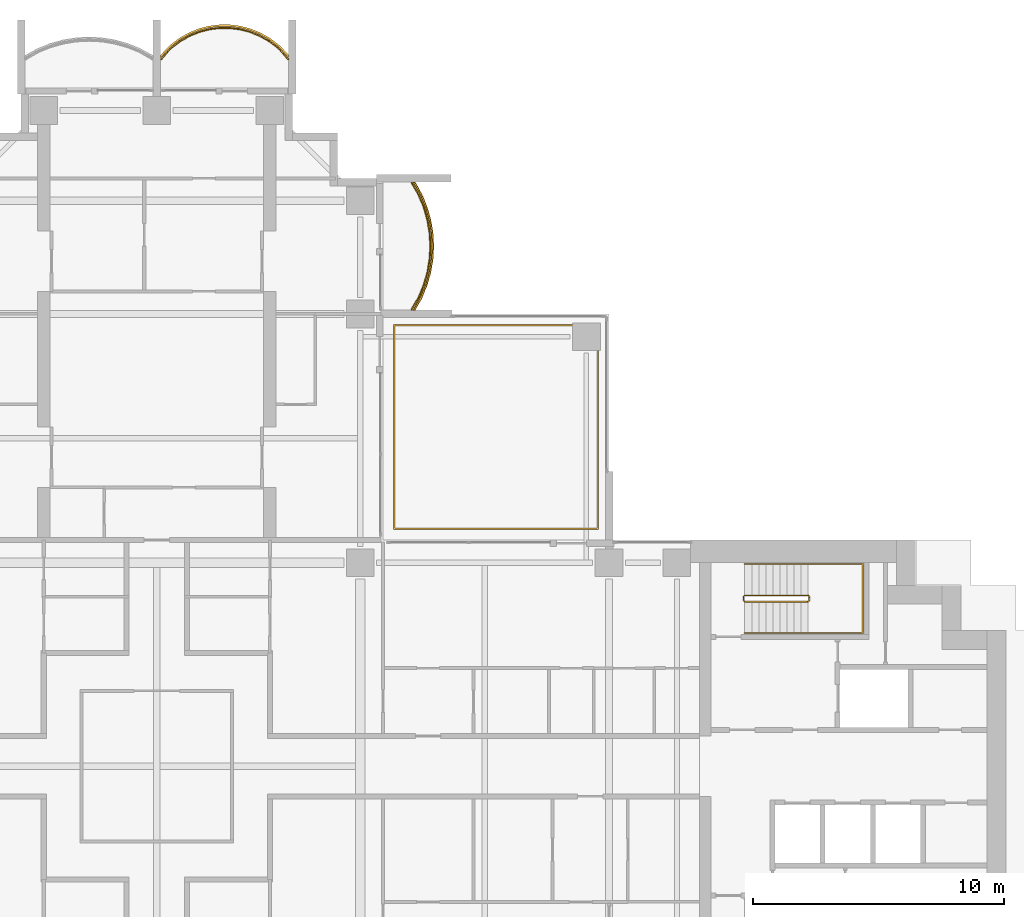
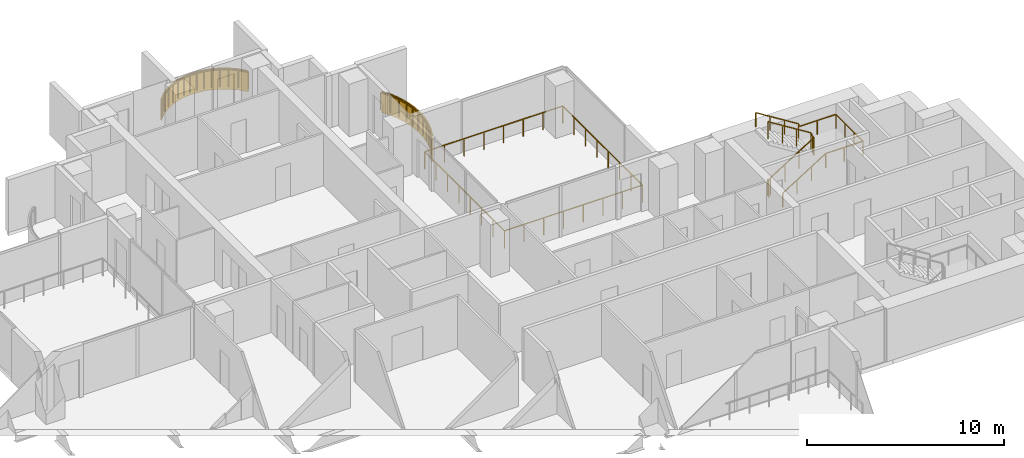
# One storey, part 20 of 20: 5 railings, 2 coverings.
"""IFC4 building model written with IfcOpenShell, lengths in metres."""

from ifc_helpers import new_model, si_unit, direction, frame, origin, origin_2d, place, context, subcontext, project, spatial, polyline, rectangle, outline, extrude, material, layer, layer_set, type_object, element, save


model = new_model("IFC4")

# Units and contexts
model_context = context("Model", 3, precision=1e-05, world=origin(), true_north=direction((0.0, 1.0)))
body_context = subcontext(model_context, "Body", "Model", "MODEL_VIEW")
ifc_project = project(units=[si_unit("LENGTHUNIT", "METRE"), si_unit("AREAUNIT", "SQUARE_METRE"), si_unit("VOLUMEUNIT", "CUBIC_METRE"), si_unit("PLANEANGLEUNIT", "RADIAN"), si_unit("MASSUNIT", "GRAM", prefix="KILO")], contexts=[model_context])

# Site, building, storey
site_placement = place(None, origin())
site = spatial("IfcSite", under=ifc_project, at=site_placement, CompositionType="ELEMENT")
building_placement = place(site_placement, origin())
building = spatial("IfcBuilding", under=site, at=building_placement, Name="Perihelion Cross Residences", CompositionType="ELEMENT")
storey_placement = place(building_placement, frame((0.0, 0.0, 102.39990234375)))
storey = spatial("IfcBuildingStorey", under=building, at=storey_placement, Name="L23", CompositionType="ELEMENT", Elevation=102.39990234375)

# Coverings
ifc_material_1 = material(Name="Bronze anodised aluminium", Category="aluminium")
ifc_layer = layer(ifc_material_1, 0.070068359375)
ifc_layer_set = layer_set([ifc_layer], Name="Balcony fascia 1300")
covering_type = type_object("IfcCoveringType", Name="Balcony fascia 1300", PredefinedType="CLADDING", material=ifc_layer_set)
covering_1_placement = place(storey_placement, frame((0.0, 0.0, -0.199951171875)))
element("IfcCovering", 1, at=covering_1_placement, inside=storey, type_object=covering_type, Name="Fascia BF1 L23 north side east bay 2", PredefinedType="CLADDING", context=body_context, shape_type="SweptSolid", body=[
    extrude(outline(polyline([(10.54833984375, 18.629638671875), (10.7607421875, 19.147216796875), (10.906494140625, 19.664794921875), (10.991943359375, 20.182373046875), (11.02001953125, 20.699951171875), (10.991943359375, 21.217529296875), (10.906494140625, 21.735107421875), (10.7607421875, 22.2529296875), (10.54833984375, 22.7705078125), (10.2802734375, 23.25), (10.199951171875, 23.25), (10.4853515625, 22.739990234375), (10.694580078125, 22.22998046875), (10.838134765625, 21.719970703125), (10.92236328125, 21.2099609375), (10.949951171875, 20.699951171875), (10.92236328125, 20.18994140625), (10.838134765625, 19.679931640625), (10.694580078125, 19.169921875), (10.4853515625, 18.659912109375), (10.199951171875, 18.14990234375), (10.2802734375, 18.14990234375), (10.54833984375, 18.629638671875)])), origin(), (0.0, 0.0, 1.0), 1.300048828125),
])
covering_2_placement = place(storey_placement, frame((0.0, 0.0, -0.199951171875)))
element("IfcCovering", 2, at=covering_2_placement, inside=storey, type_object=covering_type, Name="Fascia BF1 L23 north tip north bay 1", PredefinedType="CLADDING", context=body_context, shape_type="SweptSolid", body=[
    extrude(outline(polyline([(4.90478515625, 28.674072265625), (4.50390625, 28.982666015625), (4.10302734375, 29.20654296875), (3.7021484375, 29.364013671875), (3.30126953125, 29.464599609375), (2.900390625, 29.513916015625), (2.49951171875, 29.513916015625), (2.0986328125, 29.464599609375), (1.69775390625, 29.364013671875), (1.296875, 29.20654296875), (0.89599609375, 28.982666015625), (0.4951171875, 28.674072265625), (0.14990234375, 28.302734375), (0.14990234375, 28.199951171875), (0.542236328125, 28.622314453125), (0.9345703125, 28.924072265625), (1.326904296875, 29.143310546875), (1.71923828125, 29.29736328125), (2.111572265625, 29.39599609375), (2.50390625, 29.444091796875), (2.896240234375, 29.444091796875), (3.28857421875, 29.39599609375), (3.6806640625, 29.29736328125), (4.072998046875, 29.143310546875), (4.46533203125, 28.924072265625), (4.857666015625, 28.622314453125), (5.25, 28.199951171875), (5.25, 28.302734375), (4.90478515625, 28.674072265625)])), origin(), (0.0, 0.0, 1.0), 1.300048828125),
])

# Railings
ifc_material_2 = material(Name="Bronze anodised aluminium", Category="aluminium")
railing_type_1 = type_object("IfcRailingType", Name="Balcony guard 1100", PredefinedType="GUARDRAIL", material=ifc_material_2)
railing_1_placement = place(storey_placement, frame((10.139892578125, 18.175048828125, 0.0)))
element("IfcRailing", 3, at=railing_1_placement, inside=storey, type_object=railing_type_1, Name="Guard GU1 L23 north side east bay 2 balcony", PredefinedType="GUARDRAIL", context=body_context, shape_type="SweptSolid", body=[
    extrude(rectangle(XDim=0.048095703125, YDim=0.048095703125, at=origin_2d()), frame((0.0, 0.0, 1.076171875), z_axis=(0.507266632806, 0.861789164031, 0.0), x_axis=(-0.861789164031, 0.507266632806, 0.0)), (0.0, 0.0, 1.0), 0.562744140625),
    extrude(rectangle(XDim=0.048095703125, YDim=0.048095703125, at=origin_2d()), frame((0.285400390625, 0.48486328125, 1.076171875), z_axis=(0.379546636342, 0.925172605972, 0.0), x_axis=(-0.925172605972, 0.379546636342, 0.0)), (0.0, 0.0, 1.0), 0.55126953125),
    extrude(rectangle(XDim=0.048095703125, YDim=0.048095703125, at=origin_2d()), frame((0.49462890625, 0.994873046875, 1.076171875), z_axis=(0.271372618732, 0.962474364231, 0.0), x_axis=(-0.962474364231, 0.271372618732, 0.0)), (0.0, 0.0, 1.0), 0.52978515625),
    extrude(rectangle(XDim=0.048095703125, YDim=0.048095703125, at=origin_2d()), frame((0.638427734375, 1.5048828125, 1.076171875), z_axis=(0.162483799314, 0.986711211531, 0.0), x_axis=(-0.986711211531, 0.162483799314, 0.0)), (0.0, 0.0, 1.0), 0.516845703125),
    extrude(rectangle(XDim=0.048095703125, YDim=0.048095703125, at=origin_2d()), frame((0.722412109375, 2.014892578125, 1.076171875), z_axis=(0.05401390175, 0.998540183677, 0.0), x_axis=(-0.998540183677, 0.05401390175, 0.0)), (0.0, 0.0, 1.0), 0.5107421875),
    extrude(rectangle(XDim=0.048095703125, YDim=0.048095703125, at=origin_2d()), frame((0.75, 2.52490234375, 1.076171875), z_axis=(-0.05401390175, 0.998540183677, 0.0), x_axis=(-0.998540183677, -0.05401390175, 0.0)), (0.0, 0.0, 1.0), 0.5107421875),
    extrude(rectangle(XDim=0.048095703125, YDim=0.048095703125, at=origin_2d()), frame((0.722412109375, 3.034912109375, 1.076171875), z_axis=(-0.162483799314, 0.986711211531, 0.0), x_axis=(-0.986711211531, -0.162483799314, 0.0)), (0.0, 0.0, 1.0), 0.516845703125),
    extrude(rectangle(XDim=0.048095703125, YDim=0.048095703125, at=origin_2d()), frame((0.638427734375, 3.544921875, 1.076171875), z_axis=(-0.271372618732, 0.962474364231, 0.0), x_axis=(-0.962474364231, -0.271372618732, 0.0)), (0.0, 0.0, 1.0), 0.52978515625),
    extrude(rectangle(XDim=0.048095703125, YDim=0.048095703125, at=origin_2d()), frame((0.49462890625, 4.054931640625, 1.076171875), z_axis=(-0.379546636342, 0.925172605972, 0.0), x_axis=(-0.925172605972, -0.379546636342, 0.0)), (0.0, 0.0, 1.0), 0.55126953125),
    extrude(rectangle(XDim=0.048095703125, YDim=0.048095703125, at=origin_2d()), frame((0.285400390625, 4.56494140625, 1.076171875), z_axis=(-0.507076995033, 0.861900760591, 0.0), x_axis=(-0.861900760591, -0.507076995033, 0.0)), (0.0, 0.0, 1.0), 0.562744140625),
    extrude(rectangle(XDim=0.0419921875, YDim=0.0419921875, at=origin_2d()), origin(), (0.0, 0.0, 1.0), 1.052001953125),
    extrude(rectangle(XDim=0.0419921875, YDim=0.0419921875, at=origin_2d()), frame((0.285400390625, 0.48486328125, 0.0)), (0.0, 0.0, 1.0), 1.052001953125),
    extrude(rectangle(XDim=0.0419921875, YDim=0.0419921875, at=origin_2d()), frame((0.49462890625, 0.994873046875, 0.0)), (0.0, 0.0, 1.0), 1.052001953125),
    extrude(rectangle(XDim=0.0419921875, YDim=0.0419921875, at=origin_2d()), frame((0.638427734375, 1.5048828125, 0.0)), (0.0, 0.0, 1.0), 1.052001953125),
    extrude(rectangle(XDim=0.0419921875, YDim=0.0419921875, at=origin_2d()), frame((0.722412109375, 2.014892578125, 0.0)), (0.0, 0.0, 1.0), 1.052001953125),
    extrude(rectangle(XDim=0.0419921875, YDim=0.0419921875, at=origin_2d()), frame((0.75, 2.52490234375, 0.0)), (0.0, 0.0, 1.0), 1.052001953125),
    extrude(rectangle(XDim=0.0419921875, YDim=0.0419921875, at=origin_2d()), frame((0.722412109375, 3.034912109375, 0.0)), (0.0, 0.0, 1.0), 1.052001953125),
    extrude(rectangle(XDim=0.0419921875, YDim=0.0419921875, at=origin_2d()), frame((0.638427734375, 3.544921875, 0.0)), (0.0, 0.0, 1.0), 1.052001953125),
    extrude(rectangle(XDim=0.0419921875, YDim=0.0419921875, at=origin_2d()), frame((0.49462890625, 4.054931640625, 0.0)), (0.0, 0.0, 1.0), 1.052001953125),
    extrude(rectangle(XDim=0.0419921875, YDim=0.0419921875, at=origin_2d()), frame((0.285400390625, 4.56494140625, 0.0)), (0.0, 0.0, 1.0), 1.052001953125),
    extrude(rectangle(XDim=0.0419921875, YDim=0.0419921875, at=origin_2d()), frame((0.0, 5.050048828125, 0.0)), (0.0, 0.0, 1.0), 1.052001953125),
])
railing_2_placement = place(storey_placement, frame((5.22509765625, 28.139892578125, 0.0)))
element("IfcRailing", 4, at=railing_2_placement, inside=storey, type_object=railing_type_1, Name="Guard GU1 L23 north tip north bay 1 balcony", PredefinedType="GUARDRAIL", context=body_context, shape_type="SweptSolid", body=[
    extrude(rectangle(XDim=0.048095703125, YDim=0.048095703125, at=origin_2d()), frame((0.0, 0.0, 1.076171875), z_axis=(-0.656340655493, 0.754464673757, 0.0), x_axis=(-0.754464673757, -0.656340655493, 0.0)), (0.0, 0.0, 1.0), 0.559814453125),
    extrude(rectangle(XDim=0.048095703125, YDim=0.048095703125, at=origin_2d()), frame((-0.367431640625, 0.42236328125, 1.076171875), z_axis=(-0.792660660899, 0.60966308455, 0.0), x_axis=(-0.60966308455, -0.792660660899, 0.0)), (0.0, 0.0, 1.0), 0.494873046875),
    extrude(rectangle(XDim=0.048095703125, YDim=0.048095703125, at=origin_2d()), frame((-0.759765625, 0.72412109375, 1.076171875), z_axis=(-0.872950285698, 0.487809182674, 0.0), x_axis=(-0.487809182674, -0.872950285698, 0.0)), (0.0, 0.0, 1.0), 0.449462890625),
    extrude(rectangle(XDim=0.048095703125, YDim=0.048095703125, at=origin_2d()), frame((-1.152099609375, 0.943359375, 1.076171875), z_axis=(-0.930814842219, 0.365491079925, 0.0), x_axis=(-0.365491079925, -0.930814842219, 0.0)), (0.0, 0.0, 1.0), 0.42138671875),
    extrude(rectangle(XDim=0.048095703125, YDim=0.048095703125, at=origin_2d()), frame((-1.54443359375, 1.097412109375, 1.076171875), z_axis=(-0.969786252666, 0.243956193074, 0.0), x_axis=(-0.243956193074, -0.969786252666, 0.0)), (0.0, 0.0, 1.0), 0.404296875),
    extrude(rectangle(XDim=0.048095703125, YDim=0.048095703125, at=origin_2d()), frame((-1.9365234375, 1.196044921875, 1.076171875), z_axis=(-0.992569651699, 0.121677797999, 0.0), x_axis=(-0.121677797999, -0.992569651699, 0.0)), (0.0, 0.0, 1.0), 0.395263671875),
    extrude(rectangle(XDim=0.048095703125, YDim=0.048095703125, at=origin_2d()), frame((-2.328857421875, 1.244140625, 1.076171875), z_axis=(-1.0, 0.0, 0.0), x_axis=(0.0, -1.0, 0.0)), (0.0, 0.0, 1.0), 0.392333984375),
    extrude(rectangle(XDim=0.048095703125, YDim=0.048095703125, at=origin_2d()), frame((-2.72119140625, 1.244140625, 1.076171875), z_axis=(-0.992569651699, -0.121677797999, 0.0), x_axis=(0.121677797999, -0.992569651699, 0.0)), (0.0, 0.0, 1.0), 0.395263671875),
    extrude(rectangle(XDim=0.048095703125, YDim=0.048095703125, at=origin_2d()), frame((-3.113525390625, 1.196044921875, 1.076171875), z_axis=(-0.969822159145, -0.243813411509, 0.0), x_axis=(0.243813411509, -0.969822159145, 0.0)), (0.0, 0.0, 1.0), 0.404541015625),
    extrude(rectangle(XDim=0.048095703125, YDim=0.048095703125, at=origin_2d()), frame((-3.505859375, 1.097412109375, 1.076171875), z_axis=(-0.930814842219, -0.365491079925, 0.0), x_axis=(0.365491079925, -0.930814842219, 0.0)), (0.0, 0.0, 1.0), 0.42138671875),
    extrude(rectangle(XDim=0.048095703125, YDim=0.048095703125, at=origin_2d()), frame((-3.898193359375, 0.943359375, 1.076171875), z_axis=(-0.872950285698, -0.487809182674, 0.0), x_axis=(0.487809182674, -0.872950285698, 0.0)), (0.0, 0.0, 1.0), 0.449462890625),
    extrude(rectangle(XDim=0.048095703125, YDim=0.048095703125, at=origin_2d()), frame((-4.29052734375, 0.72412109375, 1.076171875), z_axis=(-0.792660660899, -0.60966308455, 0.0), x_axis=(0.60966308455, -0.792660660899, 0.0)), (0.0, 0.0, 1.0), 0.494873046875),
    extrude(rectangle(XDim=0.048095703125, YDim=0.048095703125, at=origin_2d()), frame((-4.682861328125, 0.42236328125, 1.076171875), z_axis=(-0.656092309534, -0.754680648599, 0.0), x_axis=(0.754680648599, -0.656092309534, 0.0)), (0.0, 0.0, 1.0), 0.5595703125),
    extrude(rectangle(XDim=0.0419921875, YDim=0.0419921875, at=origin_2d()), origin(), (0.0, 0.0, 1.0), 1.052001953125),
    extrude(rectangle(XDim=0.0419921875, YDim=0.0419921875, at=origin_2d()), frame((-0.367431640625, 0.42236328125, 0.0)), (0.0, 0.0, 1.0), 1.052001953125),
    extrude(rectangle(XDim=0.0419921875, YDim=0.0419921875, at=origin_2d()), frame((-0.759765625, 0.72412109375, 0.0)), (0.0, 0.0, 1.0), 1.052001953125),
    extrude(rectangle(XDim=0.0419921875, YDim=0.0419921875, at=origin_2d()), frame((-1.152099609375, 0.943359375, 0.0)), (0.0, 0.0, 1.0), 1.052001953125),
    extrude(rectangle(XDim=0.0419921875, YDim=0.0419921875, at=origin_2d()), frame((-1.54443359375, 1.097412109375, 0.0)), (0.0, 0.0, 1.0), 1.052001953125),
    extrude(rectangle(XDim=0.0419921875, YDim=0.0419921875, at=origin_2d()), frame((-1.9365234375, 1.196044921875, 0.0)), (0.0, 0.0, 1.0), 1.052001953125),
    extrude(rectangle(XDim=0.0419921875, YDim=0.0419921875, at=origin_2d()), frame((-2.328857421875, 1.244140625, 0.0)), (0.0, 0.0, 1.0), 1.052001953125),
    extrude(rectangle(XDim=0.0419921875, YDim=0.0419921875, at=origin_2d()), frame((-2.72119140625, 1.244140625, 0.0)), (0.0, 0.0, 1.0), 1.052001953125),
    extrude(rectangle(XDim=0.0419921875, YDim=0.0419921875, at=origin_2d()), frame((-3.113525390625, 1.196044921875, 0.0)), (0.0, 0.0, 1.0), 1.052001953125),
    extrude(rectangle(XDim=0.0419921875, YDim=0.0419921875, at=origin_2d()), frame((-3.505859375, 1.097412109375, 0.0)), (0.0, 0.0, 1.0), 1.052001953125),
    extrude(rectangle(XDim=0.0419921875, YDim=0.0419921875, at=origin_2d()), frame((-3.898193359375, 0.943359375, 0.0)), (0.0, 0.0, 1.0), 1.052001953125),
    extrude(rectangle(XDim=0.0419921875, YDim=0.0419921875, at=origin_2d()), frame((-4.29052734375, 0.72412109375, 0.0)), (0.0, 0.0, 1.0), 1.052001953125),
    extrude(rectangle(XDim=0.0419921875, YDim=0.0419921875, at=origin_2d()), frame((-4.682861328125, 0.42236328125, 0.0)), (0.0, 0.0, 1.0), 1.052001953125),
    extrude(rectangle(XDim=0.0419921875, YDim=0.0419921875, at=origin_2d()), frame((-5.050048828125, 0.0, 0.0)), (0.0, 0.0, 1.0), 1.052001953125),
])
railing_3_placement = place(storey_placement, frame((17.550048828125, 9.449951171875, 0.0)))
element("IfcRailing", 5, at=railing_3_placement, inside=storey, type_object=railing_type_1, Name="Guard GU1 L23 pocket north-east 1", PredefinedType="GUARDRAIL", context=body_context, shape_type="SweptSolid", body=[
    extrude(rectangle(XDim=0.048095703125, YDim=0.048095703125, at=origin_2d()), frame((0.0, 0.0, 1.076171875), z_axis=(-1.0, 0.0, 0.0), x_axis=(0.0, -1.0, 0.0)), (0.0, 0.0, 1.0), 8.10009765625),
    extrude(rectangle(XDim=0.048095703125, YDim=0.048095703125, at=origin_2d()), frame((-8.10009765625, 0.0, 1.076171875), z_axis=(0.0, 1.0, 0.0), x_axis=(-1.0, 0.0, 0.0)), (0.0, 0.0, 1.0), 8.10009765625),
    extrude(rectangle(XDim=0.048095703125, YDim=0.048095703125, at=origin_2d()), frame((-8.10009765625, 8.10009765625, 1.076171875), z_axis=(1.0, 0.0, 0.0), x_axis=(0.0, 1.0, 0.0)), (0.0, 0.0, 1.0), 8.10009765625),
    extrude(rectangle(XDim=0.048095703125, YDim=0.048095703125, at=origin_2d()), frame((0.0, 8.10009765625, 1.076171875), z_axis=(0.0, -1.0, 0.0), x_axis=(1.0, 0.0, 0.0)), (0.0, 0.0, 1.0), 8.10009765625),
    extrude(rectangle(XDim=0.0419921875, YDim=0.0419921875, at=origin_2d()), origin(), (0.0, 0.0, 1.0), 1.052001953125),
    extrude(rectangle(XDim=0.0419921875, YDim=0.0419921875, at=origin_2d()), frame((-1.1572265625, 0.0, 0.0)), (0.0, 0.0, 1.0), 1.052001953125),
    extrude(rectangle(XDim=0.0419921875, YDim=0.0419921875, at=origin_2d()), frame((-2.314208984375, 0.0, 0.0)), (0.0, 0.0, 1.0), 1.052001953125),
    extrude(rectangle(XDim=0.0419921875, YDim=0.0419921875, at=origin_2d()), frame((-3.471435546875, 0.0, 0.0)), (0.0, 0.0, 1.0), 1.052001953125),
    extrude(rectangle(XDim=0.0419921875, YDim=0.0419921875, at=origin_2d()), frame((-4.628662109375, 0.0, 0.0)), (0.0, 0.0, 1.0), 1.052001953125),
    extrude(rectangle(XDim=0.0419921875, YDim=0.0419921875, at=origin_2d()), frame((-5.785888671875, 0.0, 0.0)), (0.0, 0.0, 1.0), 1.052001953125),
    extrude(rectangle(XDim=0.0419921875, YDim=0.0419921875, at=origin_2d()), frame((-6.94287109375, 0.0, 0.0)), (0.0, 0.0, 1.0), 1.052001953125),
    extrude(rectangle(XDim=0.0419921875, YDim=0.0419921875, at=origin_2d()), frame((-8.10009765625, 0.0, 0.0)), (0.0, 0.0, 1.0), 1.052001953125),
    extrude(rectangle(XDim=0.0419921875, YDim=0.0419921875, at=origin_2d()), frame((-8.10009765625, 1.1572265625, 0.0)), (0.0, 0.0, 1.0), 1.052001953125),
    extrude(rectangle(XDim=0.0419921875, YDim=0.0419921875, at=origin_2d()), frame((-8.10009765625, 2.314208984375, 0.0)), (0.0, 0.0, 1.0), 1.052001953125),
    extrude(rectangle(XDim=0.0419921875, YDim=0.0419921875, at=origin_2d()), frame((-8.10009765625, 3.471435546875, 0.0)), (0.0, 0.0, 1.0), 1.052001953125),
    extrude(rectangle(XDim=0.0419921875, YDim=0.0419921875, at=origin_2d()), frame((-8.10009765625, 4.628662109375, 0.0)), (0.0, 0.0, 1.0), 1.052001953125),
    extrude(rectangle(XDim=0.0419921875, YDim=0.0419921875, at=origin_2d()), frame((-8.10009765625, 5.785888671875, 0.0)), (0.0, 0.0, 1.0), 1.052001953125),
    extrude(rectangle(XDim=0.0419921875, YDim=0.0419921875, at=origin_2d()), frame((-8.10009765625, 6.94287109375, 0.0)), (0.0, 0.0, 1.0), 1.052001953125),
    extrude(rectangle(XDim=0.0419921875, YDim=0.0419921875, at=origin_2d()), frame((-8.10009765625, 8.10009765625, 0.0)), (0.0, 0.0, 1.0), 1.052001953125),
    extrude(rectangle(XDim=0.0419921875, YDim=0.0419921875, at=origin_2d()), frame((-6.94287109375, 8.10009765625, 0.0)), (0.0, 0.0, 1.0), 1.052001953125),
    extrude(rectangle(XDim=0.0419921875, YDim=0.0419921875, at=origin_2d()), frame((-5.785888671875, 8.10009765625, 0.0)), (0.0, 0.0, 1.0), 1.052001953125),
    extrude(rectangle(XDim=0.0419921875, YDim=0.0419921875, at=origin_2d()), frame((-4.628662109375, 8.10009765625, 0.0)), (0.0, 0.0, 1.0), 1.052001953125),
    extrude(rectangle(XDim=0.0419921875, YDim=0.0419921875, at=origin_2d()), frame((-3.471435546875, 8.10009765625, 0.0)), (0.0, 0.0, 1.0), 1.052001953125),
    extrude(rectangle(XDim=0.0419921875, YDim=0.0419921875, at=origin_2d()), frame((-2.314208984375, 8.10009765625, 0.0)), (0.0, 0.0, 1.0), 1.052001953125),
    extrude(rectangle(XDim=0.0419921875, YDim=0.0419921875, at=origin_2d()), frame((-1.1572265625, 8.10009765625, 0.0)), (0.0, 0.0, 1.0), 1.052001953125),
    extrude(rectangle(XDim=0.0419921875, YDim=0.0419921875, at=origin_2d()), frame((0.0, 8.10009765625, 0.0)), (0.0, 0.0, 1.0), 1.052001953125),
    extrude(rectangle(XDim=0.0419921875, YDim=0.0419921875, at=origin_2d()), frame((0.0, 6.94287109375, 0.0)), (0.0, 0.0, 1.0), 1.052001953125),
    extrude(rectangle(XDim=0.0419921875, YDim=0.0419921875, at=origin_2d()), frame((0.0, 5.785888671875, 0.0)), (0.0, 0.0, 1.0), 1.052001953125),
    extrude(rectangle(XDim=0.0419921875, YDim=0.0419921875, at=origin_2d()), frame((0.0, 4.628662109375, 0.0)), (0.0, 0.0, 1.0), 1.052001953125),
    extrude(rectangle(XDim=0.0419921875, YDim=0.0419921875, at=origin_2d()), frame((0.0, 3.471435546875, 0.0)), (0.0, 0.0, 1.0), 1.052001953125),
    extrude(rectangle(XDim=0.0419921875, YDim=0.0419921875, at=origin_2d()), frame((0.0, 2.314208984375, 0.0)), (0.0, 0.0, 1.0), 1.052001953125),
    extrude(rectangle(XDim=0.0419921875, YDim=0.0419921875, at=origin_2d()), frame((0.0, 1.1572265625, 0.0)), (0.0, 0.0, 1.0), 1.052001953125),
])
ifc_material_3 = material(Name="Stainless steel", Category="steel")
railing_type_2 = type_object("IfcRailingType", Name="Stair guard 1100", PredefinedType="GUARDRAIL", material=ifc_material_3)
railing_4_placement = place(storey_placement, frame((23.35009765625, 6.75, 0.0)))
element("IfcRailing", 6, at=railing_4_placement, inside=storey, type_object=railing_type_2, Name="L23 ST-E1 stair guard 1", PredefinedType="GUARDRAIL", context=body_context, shape_type="SweptSolid", body=[
    extrude(rectangle(XDim=0.048095703125, YDim=0.048095703125, at=origin_2d()), frame((0.0, 0.0, 1.076171875), z_axis=(0.0, -1.0, 0.0), x_axis=(1.0, 0.0, 0.0)), (0.0, 0.0, 1.0), 0.14990234375),
    extrude(rectangle(XDim=0.048095703125, YDim=0.048095703125, at=origin_2d()), frame((0.0, -0.14990234375, 1.076171875), z_axis=(0.263862480399, -0.265155923931, 0.927399011991), x_axis=(0.708833529934, 0.705375805398, 0.0)), (0.0, 0.0, 1.0), 0.188720703125),
    extrude(rectangle(XDim=0.048095703125, YDim=0.048095703125, at=origin_2d()), frame((0.0498046875, -0.199951171875, 1.2509765625), z_axis=(0.848007534815, 0.0, 0.529984170421), x_axis=(0.0, 1.0, 0.0)), (0.0, 0.0, 1.0), 2.9716796875),
    extrude(rectangle(XDim=0.048095703125, YDim=0.048095703125, at=origin_2d()), frame((2.56982421875, -0.199951171875, 2.826171875), z_axis=(0.707106781187, 0.707106781187, 0.0), x_axis=(-0.707106781187, 0.707106781187, 0.0)), (0.0, 0.0, 1.0), 0.07080078125),
    extrude(rectangle(XDim=0.048095703125, YDim=0.048095703125, at=origin_2d()), frame((2.619873046875, -0.14990234375, 2.826171875), z_axis=(0.0, 1.0, 0.0), x_axis=(-1.0, 0.0, 0.0)), (0.0, 0.0, 1.0), 0.14990234375),
    extrude(rectangle(XDim=0.048095703125, YDim=0.048095703125, at=origin_2d()), frame((2.619873046875, 0.0, 2.826171875), z_axis=(-0.265065253269, 0.265065253269, 0.927081885822), x_axis=(-0.707106781187, -0.707106781187, 0.0)), (0.0, 0.0, 1.0), 0.188720703125),
    extrude(rectangle(XDim=0.048095703125, YDim=0.048095703125, at=origin_2d()), frame((2.56982421875, 0.050048828125, 3.0009765625), z_axis=(-0.848007534815, 0.0, 0.529984170421), x_axis=(0.0, -1.0, 0.0)), (0.0, 0.0, 1.0), 2.9716796875),
    extrude(rectangle(XDim=0.0419921875, YDim=0.0419921875, at=origin_2d()), origin(), (0.0, 0.0, 1.0), 1.052001953125),
    extrude(rectangle(XDim=0.0419921875, YDim=0.0419921875, at=origin_2d()), frame((0.0, -0.14990234375, 0.0)), (0.0, 0.0, 1.0), 1.052001953125),
    extrude(rectangle(XDim=0.0419921875, YDim=0.0419921875, at=origin_2d()), frame((0.0498046875, -0.199951171875, 0.175048828125)), (0.0, 0.0, 1.0), 1.052001953125),
    extrude(rectangle(XDim=0.0419921875, YDim=0.0419921875, at=origin_2d()), frame((0.889892578125, -0.199951171875, 0.699951171875)), (0.0, 0.0, 1.0), 1.052001953125),
    extrude(rectangle(XDim=0.0419921875, YDim=0.0419921875, at=origin_2d()), frame((1.729736328125, -0.199951171875, 1.22509765625)), (0.0, 0.0, 1.0), 1.052001953125),
    extrude(rectangle(XDim=0.0419921875, YDim=0.0419921875, at=origin_2d()), frame((2.56982421875, -0.199951171875, 1.75)), (0.0, 0.0, 1.0), 1.052001953125),
    extrude(rectangle(XDim=0.0419921875, YDim=0.0419921875, at=origin_2d()), frame((2.619873046875, -0.14990234375, 1.75)), (0.0, 0.0, 1.0), 1.052001953125),
    extrude(rectangle(XDim=0.0419921875, YDim=0.0419921875, at=origin_2d()), frame((2.619873046875, 0.0, 1.75)), (0.0, 0.0, 1.0), 1.052001953125),
    extrude(rectangle(XDim=0.0419921875, YDim=0.0419921875, at=origin_2d()), frame((2.56982421875, 0.050048828125, 1.925048828125)), (0.0, 0.0, 1.0), 1.052001953125),
    extrude(rectangle(XDim=0.0419921875, YDim=0.0419921875, at=origin_2d()), frame((1.729736328125, 0.050048828125, 2.449951171875)), (0.0, 0.0, 1.0), 1.052001953125),
    extrude(rectangle(XDim=0.0419921875, YDim=0.0419921875, at=origin_2d()), frame((0.889892578125, 0.050048828125, 2.97509765625)), (0.0, 0.0, 1.0), 1.052001953125),
    extrude(rectangle(XDim=0.0419921875, YDim=0.0419921875, at=origin_2d()), frame((0.0498046875, 0.050048828125, 3.5)), (0.0, 0.0, 1.0), 1.052001953125),
])
ifc_material_4 = material(Name="Stainless steel", Category="steel")
railing_type_3 = type_object("IfcRailingType", Name="Stair handrail 900", PredefinedType="HANDRAIL", material=ifc_material_4)
railing_5_placement = place(storey_placement, frame((23.39990234375, 5.300048828125, 0.175048828125)))
element("IfcRailing", 7, at=railing_5_placement, inside=storey, type_object=railing_type_3, Name="L23 ST-E1 stair handrail 1", PredefinedType="HANDRAIL", context=body_context, shape_type="SweptSolid", body=[
    extrude(rectangle(XDim=0.048095703125, YDim=0.048095703125, at=origin_2d()), frame((0.0, 0.0, 0.8759765625), z_axis=(0.848007534815, 0.0, 0.529984170421), x_axis=(0.0, 1.0, 0.0)), (0.0, 0.0, 1.0), 2.9716796875),
    extrude(rectangle(XDim=0.048095703125, YDim=0.048095703125, at=origin_2d()), frame((2.52001953125, 0.0, 2.45068359375), z_axis=(1.0, 0.0, 0.0), x_axis=(0.0, 1.0, 0.0)), (0.0, 0.0, 1.0), 2.18017578125),
    extrude(rectangle(XDim=0.048095703125, YDim=0.048095703125, at=origin_2d()), frame((4.7001953125, 0.0, 2.45068359375), z_axis=(0.0, 1.0, 0.0), x_axis=(-1.0, 0.0, 0.0)), (0.0, 0.0, 1.0), 2.75),
    extrude(rectangle(XDim=0.048095703125, YDim=0.048095703125, at=origin_2d()), frame((4.7001953125, 2.75, 2.45068359375), z_axis=(-1.0, 0.0, 0.0), x_axis=(0.0, -1.0, 0.0)), (0.0, 0.0, 1.0), 2.18017578125),
    extrude(rectangle(XDim=0.048095703125, YDim=0.048095703125, at=origin_2d()), frame((2.52001953125, 2.75, 2.45068359375), z_axis=(0.0, 0.0, 1.0), x_axis=(1.0, 0.0, 0.0)), (0.0, 0.0, 1.0), 0.175048828125),
    extrude(rectangle(XDim=0.048095703125, YDim=0.048095703125, at=origin_2d()), frame((2.52001953125, 2.75, 2.6259765625), z_axis=(-0.848007534815, 0.0, 0.529984170421), x_axis=(0.0, -1.0, 0.0)), (0.0, 0.0, 1.0), 2.9716796875),
    extrude(rectangle(XDim=0.0419921875, YDim=0.0419921875, at=origin_2d()), origin(), (0.0, 0.0, 1.0), 0.851806640625),
    extrude(rectangle(XDim=0.0419921875, YDim=0.0419921875, at=origin_2d()), frame((0.840087890625, 0.0, 0.52490234375)), (0.0, 0.0, 1.0), 0.851806640625),
    extrude(rectangle(XDim=0.0419921875, YDim=0.0419921875, at=origin_2d()), frame((1.679931640625, 0.0, 1.050048828125)), (0.0, 0.0, 1.0), 0.851806640625),
    extrude(rectangle(XDim=0.0419921875, YDim=0.0419921875, at=origin_2d()), frame((2.52001953125, 0.0, 1.574951171875)), (0.0, 0.0, 1.0), 0.851806640625),
    extrude(rectangle(XDim=0.0419921875, YDim=0.0419921875, at=origin_2d()), frame((3.610107421875, 0.0, 1.574951171875)), (0.0, 0.0, 1.0), 0.851806640625),
    extrude(rectangle(XDim=0.0419921875, YDim=0.0419921875, at=origin_2d()), frame((4.7001953125, 0.0, 1.574951171875)), (0.0, 0.0, 1.0), 0.851806640625),
    extrude(rectangle(XDim=0.0419921875, YDim=0.0419921875, at=origin_2d()), frame((4.7001953125, 0.916748046875, 1.574951171875)), (0.0, 0.0, 1.0), 0.851806640625),
    extrude(rectangle(XDim=0.0419921875, YDim=0.0419921875, at=origin_2d()), frame((4.7001953125, 1.833251953125, 1.574951171875)), (0.0, 0.0, 1.0), 0.851806640625),
    extrude(rectangle(XDim=0.0419921875, YDim=0.0419921875, at=origin_2d()), frame((4.7001953125, 2.75, 1.574951171875)), (0.0, 0.0, 1.0), 0.851806640625),
    extrude(rectangle(XDim=0.0419921875, YDim=0.0419921875, at=origin_2d()), frame((3.610107421875, 2.75, 1.574951171875)), (0.0, 0.0, 1.0), 0.851806640625),
    extrude(rectangle(XDim=0.0419921875, YDim=0.0419921875, at=origin_2d()), frame((2.52001953125, 2.75, 1.574951171875)), (0.0, 0.0, 1.0), 0.851806640625),
    extrude(rectangle(XDim=0.0419921875, YDim=0.0419921875, at=origin_2d()), frame((2.52001953125, 2.75, 1.75)), (0.0, 0.0, 1.0), 0.851806640625),
    extrude(rectangle(XDim=0.0419921875, YDim=0.0419921875, at=origin_2d()), frame((1.679931640625, 2.75, 2.27490234375)), (0.0, 0.0, 1.0), 0.851806640625),
    extrude(rectangle(XDim=0.0419921875, YDim=0.0419921875, at=origin_2d()), frame((0.840087890625, 2.75, 2.800048828125)), (0.0, 0.0, 1.0), 0.851806640625),
    extrude(rectangle(XDim=0.0419921875, YDim=0.0419921875, at=origin_2d()), frame((0.0, 2.75, 3.324951171875)), (0.0, 0.0, 1.0), 0.851806640625),
])

save(model, "model.ifc")
